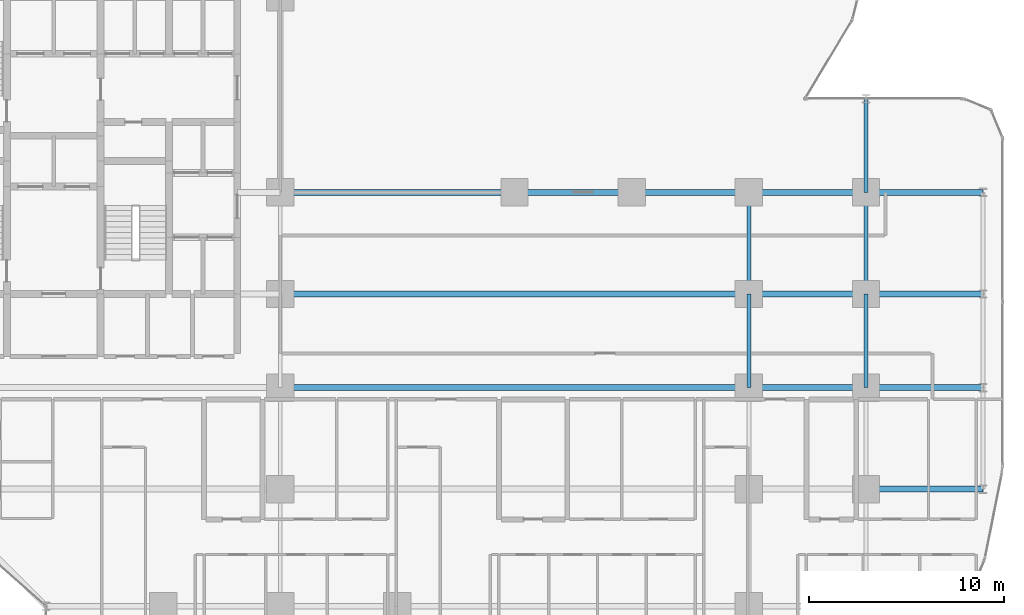
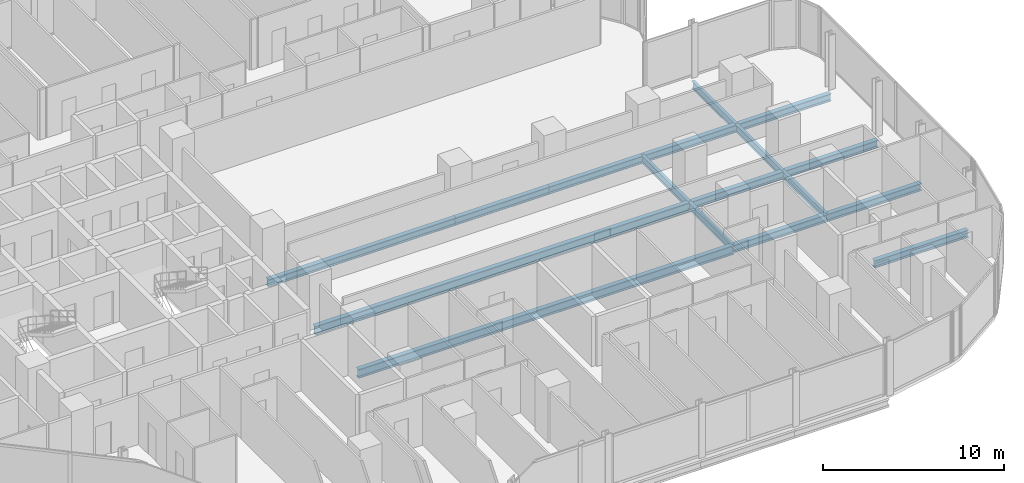
# One storey, part 10 of 33: 17 beams.
"""IFC4 building model written with IfcOpenShell, lengths in metres."""

from ifc_helpers import new_model, si_unit, direction, frame, origin, origin_2d, place, context, subcontext, project, spatial, i_section, extrude, material, material_profile, profile_set, type_object, element, save


model = new_model("IFC4")

# Units and contexts
model_context = context("Model", 3, precision=1e-05, world=origin(), true_north=direction((0.0, 1.0)))
body_context = subcontext(model_context, "Body", "Model", "MODEL_VIEW")
ifc_project = project(units=[si_unit("LENGTHUNIT", "METRE"), si_unit("AREAUNIT", "SQUARE_METRE"), si_unit("VOLUMEUNIT", "CUBIC_METRE"), si_unit("PLANEANGLEUNIT", "RADIAN"), si_unit("MASSUNIT", "GRAM", prefix="KILO")], contexts=[model_context])

# Site, building, storey
site_placement = place(None, origin())
site = spatial("IfcSite", under=ifc_project, at=site_placement, CompositionType="ELEMENT")
building_placement = place(site_placement, origin())
building = spatial("IfcBuilding", under=site, at=building_placement, Name="Keshet Zoharim Tower", CompositionType="ELEMENT")
storey_placement = place(building_placement, frame((0.0, 0.0, 27.699951171875)))
storey = spatial("IfcBuildingStorey", under=building, at=storey_placement, Name="L05", CompositionType="ELEMENT", Elevation=27.699951171875)

# Beams
ifc_material = material(Name="Steel S355", Category="steel")
ifc_material_profile_1 = material_profile(ifc_material, i_section(OverallWidth=0.300048828125, OverallDepth=0.60009765625, WebThickness=0.015380859375, FlangeThickness=0.030029296875, FilletRadius=0.027099609375, at=origin_2d()), Name="HEB600")
ifc_profile_set_1 = profile_set([ifc_material_profile_1], Name="Steel S355")
beam_type_1 = type_object("IfcBeamType", Name="BM-LNG-HB600", PredefinedType="BEAM", material=ifc_profile_set_1)
for number, where, z_axis, x_axis, name in (
    (1, (33.0, 17.89990234375, -0.614990234375), (1.0, 0.0, 0.0), (0.0, 1.0, 0.0), "L05 Primary Girder X-017"),
    (2, (33.0, 22.699951171875, -0.614990234375), (1.0, 0.0, 0.0), (0.0, 1.0, 0.0), "L05 Primary Girder X-020"),
):
    element("IfcBeam", number, at=place(storey_placement, frame(where, z_axis=z_axis, x_axis=x_axis)), inside=storey, type_object=beam_type_1, Name=name, PredefinedType="BEAM", context=body_context, shape_type="SweptSolid", body=[
        extrude(i_section(OverallWidth=0.300048828125, OverallDepth=0.60009765625, WebThickness=0.015380859375, FlangeThickness=0.030029296875, FilletRadius=0.027099609375, at=origin_2d()), origin(), (0.0, 0.0, 1.0), 24.0),
    ])
ifc_material_profile_2 = material_profile(ifc_material, i_section(OverallWidth=0.300048828125, OverallDepth=0.5, WebThickness=0.014404296875, FlangeThickness=0.028076171875, FilletRadius=0.027099609375, at=origin_2d()), Name="HEB500")
ifc_profile_set_2 = profile_set([ifc_material_profile_2], Name="Steel S355")
beam_type_2 = type_object("IfcBeamType", Name="BM-MED-HB500", PredefinedType="BEAM", material=ifc_profile_set_2)
beam_1_placement = place(storey_placement, frame((33.0, 27.89990234375, -0.56494140625), z_axis=(1.0, 0.0, 0.0), x_axis=(0.0, 1.0, 0.0)))
element("IfcBeam", 3, at=beam_1_placement, inside=storey, type_object=beam_type_2, Name="L05 Primary Girder X-023", PredefinedType="BEAM", context=body_context, shape_type="SweptSolid", body=[
    extrude(i_section(OverallWidth=0.300048828125, OverallDepth=0.5, WebThickness=0.014404296875, FlangeThickness=0.028076171875, FilletRadius=0.027099609375, at=origin_2d()), origin(), (0.0, 0.0, 1.0), 12.0),
])
ifc_material_profile_3 = material_profile(ifc_material, i_section(OverallWidth=0.199951171875, OverallDepth=0.5, WebThickness=0.01025390625, FlangeThickness=0.01611328125, FilletRadius=0.02099609375, at=origin_2d()), Name="IPE500")
ifc_profile_set_3 = profile_set([ifc_material_profile_3], Name="Steel S355")
beam_type_3 = type_object("IfcBeamType", Name="BM-PRI-IP500", PredefinedType="BEAM", material=ifc_profile_set_3)
beam_2_placement = place(storey_placement, frame((57.0, 17.89990234375, -0.56494140625), z_axis=(0.0, 1.0, 0.0), x_axis=(-1.0, 0.0, 0.0)))
element("IfcBeam", 4, at=beam_2_placement, inside=storey, type_object=beam_type_3, Name="L05 Primary Girder Y-016", PredefinedType="BEAM", context=body_context, shape_type="SweptSolid", body=[
    extrude(i_section(OverallWidth=0.199951171875, OverallDepth=0.5, WebThickness=0.01025390625, FlangeThickness=0.01611328125, FilletRadius=0.02099609375, at=origin_2d()), origin(), (0.0, 0.0, 1.0), 4.800048828125),
])
beam_3_placement = place(storey_placement, frame((57.0, 22.699951171875, -0.56494140625), z_axis=(0.0, 1.0, 0.0), x_axis=(-1.0, 0.0, 0.0)))
element("IfcBeam", 5, at=beam_3_placement, inside=storey, type_object=beam_type_3, Name="L05 Primary Girder Y-017", PredefinedType="BEAM", context=body_context, shape_type="SweptSolid", body=[
    extrude(i_section(OverallWidth=0.199951171875, OverallDepth=0.5, WebThickness=0.01025390625, FlangeThickness=0.01611328125, FilletRadius=0.02099609375, at=origin_2d()), origin(), (0.0, 0.0, 1.0), 5.199951171875),
])
beam_4_placement = place(storey_placement, frame((63.0, 17.89990234375, -0.56494140625), z_axis=(0.0, 1.0, 0.0), x_axis=(-1.0, 0.0, 0.0)))
element("IfcBeam", 6, at=beam_4_placement, inside=storey, type_object=beam_type_3, Name="L05 Primary Girder Y-020", PredefinedType="BEAM", context=body_context, shape_type="SweptSolid", body=[
    extrude(i_section(OverallWidth=0.199951171875, OverallDepth=0.5, WebThickness=0.01025390625, FlangeThickness=0.01611328125, FilletRadius=0.02099609375, at=origin_2d()), origin(), (0.0, 0.0, 1.0), 4.800048828125),
])
beam_5_placement = place(storey_placement, frame((63.0, 22.699951171875, -0.56494140625), z_axis=(0.0, 1.0, 0.0), x_axis=(-1.0, 0.0, 0.0)))
element("IfcBeam", 7, at=beam_5_placement, inside=storey, type_object=beam_type_3, Name="L05 Primary Girder Y-021", PredefinedType="BEAM", context=body_context, shape_type="SweptSolid", body=[
    extrude(i_section(OverallWidth=0.199951171875, OverallDepth=0.5, WebThickness=0.01025390625, FlangeThickness=0.01611328125, FilletRadius=0.02099609375, at=origin_2d()), origin(), (0.0, 0.0, 1.0), 5.199951171875),
])
beam_6_placement = place(storey_placement, frame((63.0, 27.89990234375, -0.56494140625), z_axis=(0.0, 1.0, 0.0), x_axis=(-1.0, 0.0, 0.0)))
element("IfcBeam", 8, at=beam_6_placement, inside=storey, type_object=beam_type_3, Name="L05 Primary Girder Y-022", PredefinedType="BEAM", context=body_context, shape_type="SweptSolid", body=[
    extrude(i_section(OverallWidth=0.199951171875, OverallDepth=0.5, WebThickness=0.01025390625, FlangeThickness=0.01611328125, FilletRadius=0.02099609375, at=origin_2d()), origin(), (0.0, 0.0, 1.0), 4.800048828125),
])
ifc_material_profile_4 = material_profile(ifc_material, i_section(OverallWidth=0.300048828125, OverallDepth=0.5, WebThickness=0.014404296875, FlangeThickness=0.028076171875, FilletRadius=0.027099609375, at=origin_2d()), Name="HEB500")
ifc_profile_set_4 = profile_set([ifc_material_profile_4], Name="Steel S355")
beam_type_4 = type_object("IfcBeamType", Name="BM-WEB-HB500", PredefinedType="BEAM", material=ifc_profile_set_4)
for number, where, z_axis, x_axis, name in (
    (9, (63.0, 12.699951171875, -0.56494140625), (1.0, 0.0, 0.0), (0.0, 1.0, 0.0), "L05 Primary Girder X-014"),
    (10, (57.0, 17.89990234375, -0.56494140625), (1.0, 0.0, 0.0), (0.0, 1.0, 0.0), "L05 Primary Girder X-018"),
    (11, (63.0, 17.89990234375, -0.56494140625), (1.0, 0.0, 0.0), (0.0, 1.0, 0.0), "L05 Primary Girder X-019"),
    (12, (57.0, 22.699951171875, -0.56494140625), (1.0, 0.0, 0.0), (0.0, 1.0, 0.0), "L05 Primary Girder X-021"),
    (13, (63.0, 22.699951171875, -0.56494140625), (1.0, 0.0, 0.0), (0.0, 1.0, 0.0), "L05 Primary Girder X-022"),
    (14, (45.0, 27.89990234375, -0.56494140625), (1.0, 0.0, 0.0), (0.0, 1.0, 0.0), "L05 Primary Girder X-024"),
    (15, (51.0, 27.89990234375, -0.56494140625), (1.0, 0.0, 0.0), (0.0, 1.0, 0.0), "L05 Primary Girder X-025"),
    (16, (57.0, 27.89990234375, -0.56494140625), (1.0, 0.0, 0.0), (0.0, 1.0, 0.0), "L05 Primary Girder X-026"),
    (17, (63.0, 27.89990234375, -0.56494140625), (1.0, 0.0, 0.0), (0.0, 1.0, 0.0), "L05 Primary Girder X-027"),
):
    element("IfcBeam", number, at=place(storey_placement, frame(where, z_axis=z_axis, x_axis=x_axis)), inside=storey, type_object=beam_type_4, Name=name, PredefinedType="BEAM", context=body_context, shape_type="SweptSolid", body=[
        extrude(i_section(OverallWidth=0.300048828125, OverallDepth=0.5, WebThickness=0.014404296875, FlangeThickness=0.028076171875, FilletRadius=0.027099609375, at=origin_2d()), origin(), (0.0, 0.0, 1.0), 6.0),
    ])

save(model, "model.ifc")
